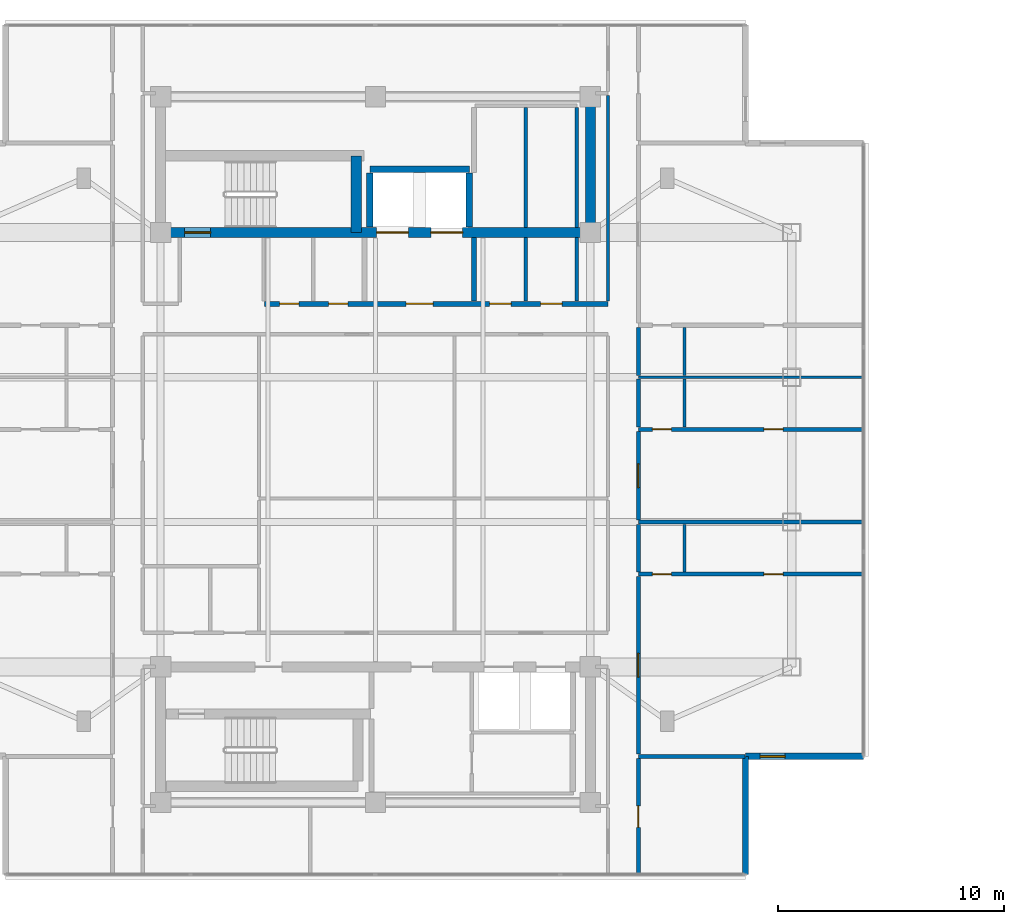
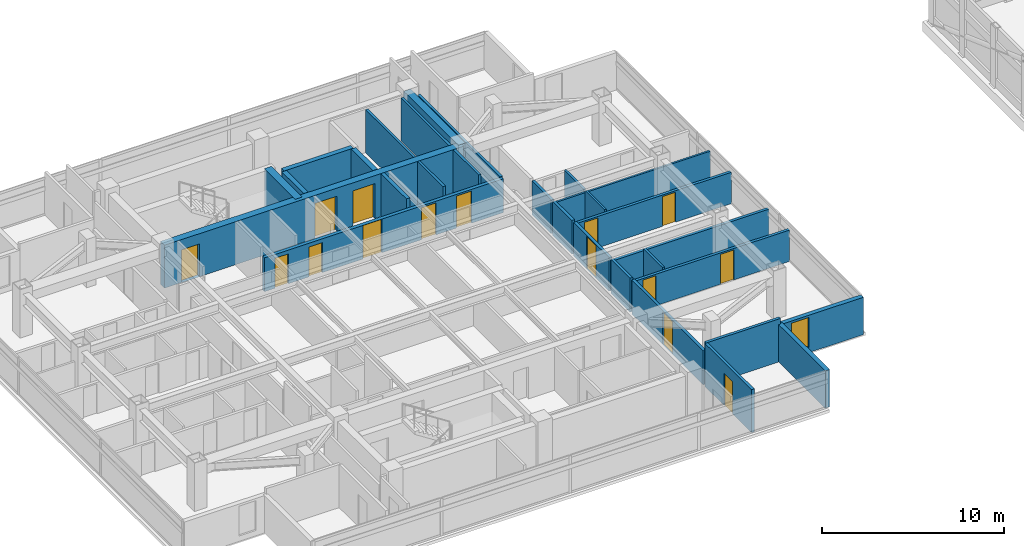
# One storey, part 12 of 17: 29 walls, 15 doors, 1 window, 16 openings.
"""IFC4 building model written with IfcOpenShell, lengths in metres."""

import ifcopenshell
import ifcopenshell.guid

model = None  # the IFC model being written
_history = None  # IfcOwnerHistory: only IFC2X3 demands one
_inside = {}  # id of a spatial element -> (the spatial element, [elements in it])
_under = {}  # id of a project, library or spatial element -> (it, [spatial elements below it])
_declared = {}  # id of a project -> (the project, [libraries it declares])
_typed = {}  # id of a type object -> (the type object, [elements of that type])
_made_of = {}  # id of a material, layer set ... -> (it, [elements and type objects made of it])


def new_model(schema):
    """Start an empty IFC model of exactly this schema.

    Asked for "IFC4X3", IfcOpenShell would pick the latest addendum, in which some entities
    have other attributes; the version numbers below select the first issue.
    IFC2X3 requires an IfcOwnerHistory on every rooted entity: one is made here for all.
    """
    global model, _history
    if schema == "IFC4X3":
        model = ifcopenshell.file(schema_version=(4, 3, 0, 0))
    else:
        model = ifcopenshell.file(schema=schema)
    _inside.clear()
    _under.clear()
    _declared.clear()
    _typed.clear()
    _made_of.clear()
    _history = None
    if model.schema == "IFC2X3":
        org = make("IfcOrganization", Name="unknown")
        user = make(
            "IfcPersonAndOrganization",
            ThePerson=make("IfcPerson", FamilyName="unknown"),
            TheOrganization=org,
        )
        app = make(
            "IfcApplication",
            ApplicationDeveloper=org,
            Version="unknown",
            ApplicationFullName="unknown",
            ApplicationIdentifier="unknown",
        )
        _history = make(
            "IfcOwnerHistory",
            OwningUser=user,
            OwningApplication=app,
            ChangeAction="ADDED",
            CreationDate=0,
        )
    return model


def make(cls, **values):
    """One entity of the class cls with the attributes given. An attribute that is None is left unset."""
    return model.create_entity(
        cls, **{name: value for name, value in values.items() if value is not None}
    )


def rooted(cls, **values):
    """An entity with a GlobalId (a new one), such as an element, a storey or a relation."""
    return make(cls, GlobalId=ifcopenshell.guid.new(), OwnerHistory=_history, **values)


def si_unit(unit_type, name, prefix=None):
    """IfcSIUnit, for example si_unit("LENGTHUNIT", "METRE", prefix="MILLI")."""
    return make("IfcSIUnit", UnitType=unit_type, Prefix=prefix, Name=name)


def assignment(units):
    """IfcUnitAssignment: the units of a project."""
    return None if units is None else make("IfcUnitAssignment", Units=units)


def point(xyz):
    """IfcCartesianPoint."""
    return None if xyz is None else make("IfcCartesianPoint", Coordinates=xyz)


def direction(xyz):
    """IfcDirection."""
    return None if xyz is None else make("IfcDirection", DirectionRatios=xyz)


def frame(location, z_axis=None, x_axis=None):
    """IfcAxis2Placement3D, a coordinate frame: its origin and axes. An axis left out is left unset."""
    return make(
        "IfcAxis2Placement3D",
        Location=point(location),
        Axis=direction(z_axis),
        RefDirection=direction(x_axis),
    )


def frame_2d(location, x_axis=None):
    """IfcAxis2Placement2D, a coordinate frame in the plane: its origin and x axis."""
    return make(
        "IfcAxis2Placement2D", Location=point(location), RefDirection=direction(x_axis)
    )


def origin():
    """The frame at (0, 0, 0) with its axes left unset."""
    return frame((0.0, 0.0, 0.0))


def place(relative_to, where):
    """IfcLocalPlacement: puts the frame where relative to a parent placement (None: the world)."""
    return make(
        "IfcLocalPlacement", PlacementRelTo=relative_to, RelativePlacement=where
    )


def context(
    kind, dimensions, precision=None, world=None, true_north=None, identifier=None
):
    """IfcGeometricRepresentationContext, for example the 3D "Model" context."""
    return make(
        "IfcGeometricRepresentationContext",
        ContextIdentifier=identifier,
        ContextType=kind,
        CoordinateSpaceDimension=dimensions,
        Precision=precision,
        WorldCoordinateSystem=world,
        TrueNorth=true_north,
    )


def subcontext(parent, identifier, kind, view, scale=None):
    """IfcGeometricRepresentationSubContext, for example "Body" below "Model"."""
    return make(
        "IfcGeometricRepresentationSubContext",
        ContextIdentifier=identifier,
        ContextType=kind,
        ParentContext=parent,
        TargetScale=scale,
        TargetView=view,
    )


def project(units=None, contexts=None):
    """IfcProject with its units and contexts."""
    return rooted(
        "IfcProject",
        Name="project",
        RepresentationContexts=contexts,
        UnitsInContext=assignment(units),
    )


def spatial(cls, under=None, at=None, **own):
    """A site, building, storey or space (cls), placed at a placement, below another one or the project."""
    s = rooted(cls, ObjectPlacement=at, **own)
    if under is not None:
        _under.setdefault(under.id(), (under, []))[1].append(s)
    return s


def profile(cls, at=None, kind="AREA", **sizes):
    """A parametric profile (cls). Its sizes go by their IFC names, for example OverallWidth=200.0."""
    return make(cls, ProfileType=kind, Position=at, **sizes)


def rectangle(**sizes):
    """IfcRectangleProfileDef."""
    return profile("IfcRectangleProfileDef", **sizes)


def extrude(swept, where, along, depth):
    """IfcExtrudedAreaSolid: the profile swept, set in the frame where, extruded along a direction by depth."""
    return make(
        "IfcExtrudedAreaSolid",
        SweptArea=swept,
        Position=where,
        ExtrudedDirection=direction(along),
        Depth=depth,
    )


def shape(context_of_items, identifier, shape_type, items):
    """IfcShapeRepresentation: the items that make up one representation, for example the "Body"."""
    return make(
        "IfcShapeRepresentation",
        ContextOfItems=context_of_items,
        RepresentationIdentifier=identifier,
        RepresentationType=shape_type,
        Items=items,
    )


def material(Name=None, Category=None):
    """IfcMaterial."""
    return make("IfcMaterial", Name=Name, Category=Category)


def layer(
    of_material, thickness, ventilated=None, Name=None, Category=None, Priority=None
):
    """IfcMaterialLayer: one layer of a wall or slab, of a material (None: an air gap)."""
    return make(
        "IfcMaterialLayer",
        Material=of_material,
        LayerThickness=thickness,
        IsVentilated=ventilated,
        Name=Name,
        Category=Category,
        Priority=Priority,
    )


def layer_set(layers, Name=None):
    """IfcMaterialLayerSet."""
    return make("IfcMaterialLayerSet", MaterialLayers=layers, LayerSetName=Name)


def made_of(thing, what):
    """Note that an element or type object is made of a material, layer set ...; save() writes the relation."""
    if what is not None:
        _made_of.setdefault(what.id(), (what, []))[1].append(thing)
    return thing


def type_object(cls, material=None, **own):
    """A type object (cls), such as IfcWallType, which elements share."""
    return made_of(rooted(cls, **own), material)


def element(
    cls,
    number,
    at=None,
    inside=None,
    cuts=None,
    type_object=None,
    material=None,
    context=None,
    identifier="Body",
    shape_type=None,
    held_by="IfcProductDefinitionShape",
    body=None,
    shapes=None,
    **own,
):
    """One element of the class cls, such as IfcWall. Its Tag is "e" and its number.

    at: its placement. inside: the storey or other place that contains it. cuts: it is an
    opening in that element (IfcRelVoidsElement). A single representation is given by context,
    identifier, shape_type and body (its items); several are given by shapes. held_by: the class
    of the entity that holds the representations. save() writes the other relations.
    """
    e = rooted(cls, Tag="e%d" % number, ObjectPlacement=at, **own)
    if body is not None:
        shapes = [shape(context, identifier, shape_type, body)]
    if shapes is not None:
        e.Representation = make(held_by, Representations=shapes)
    if inside is not None:
        _inside.setdefault(inside.id(), (inside, []))[1].append(e)
    if cuts is not None:
        rooted(
            "IfcRelVoidsElement", RelatingBuildingElement=cuts, RelatedOpeningElement=e
        )
    if type_object is not None:
        _typed.setdefault(type_object.id(), (type_object, []))[1].append(e)
    return made_of(e, material)


def fill(opening, filler):
    """IfcRelFillsElement: the door or window that sits in an opening."""
    return rooted(
        "IfcRelFillsElement",
        RelatingOpeningElement=opening,
        RelatedBuildingElement=filler,
    )


def aggregate(whole, parts):
    """IfcRelAggregates: a whole, such as a stair, and the parts it consists of."""
    return rooted("IfcRelAggregates", RelatingObject=whole, RelatedObjects=parts)


def save(model, path):
    """Write the relations noted so far, then the file.

    IfcRelAggregates (storeys below a building ...), IfcRelContainedInSpatialStructure (elements
    in a storey), IfcRelDefinesByType, IfcRelAssociatesMaterial and IfcRelDeclares: one each for
    every whole, place, type object, material and project.
    """
    for whole, parts in _under.values():
        aggregate(whole, parts)
    for where, things in _inside.values():
        rooted(
            "IfcRelContainedInSpatialStructure",
            RelatedElements=things,
            RelatingStructure=where,
        )
    for kind, things in _typed.values():
        rooted("IfcRelDefinesByType", RelatedObjects=things, RelatingType=kind)
    for what, things in _made_of.values():
        rooted("IfcRelAssociatesMaterial", RelatedObjects=things, RelatingMaterial=what)
    for by, libraries in _declared.values():
        rooted("IfcRelDeclares", RelatingContext=by, RelatedDefinitions=libraries)
    model.write(path)


model = new_model("IFC4")

# Units and contexts
model_context = context("Model", 3, precision=1e-05, world=origin(), true_north=direction((0.0, 1.0)))
body_context = subcontext(model_context, "Body", "Model", "MODEL_VIEW")
ifc_project = project(units=[si_unit("LENGTHUNIT", "METRE"), si_unit("AREAUNIT", "SQUARE_METRE"), si_unit("VOLUMEUNIT", "CUBIC_METRE"), si_unit("PLANEANGLEUNIT", "RADIAN"), si_unit("MASSUNIT", "GRAM", prefix="KILO")], contexts=[model_context])

# Site, building, storey
site_placement = place(None, origin())
site = spatial("IfcSite", under=ifc_project, at=site_placement, CompositionType="ELEMENT")
building_placement = place(site_placement, origin())
building = spatial("IfcBuilding", under=site, at=building_placement, Name="Mirazonda Arch Towers", CompositionType="ELEMENT")
storey_placement = place(building_placement, frame((0.0, 0.0, 209.64990234375)))
storey = spatial("IfcBuildingStorey", under=building, at=storey_placement, Name="L60", CompositionType="ELEMENT", Elevation=209.64990234375)

# Wall
ifc_material_1 = material(Name="Concrete C50/60", Category="concrete")
ifc_layer_1 = layer(ifc_material_1, 0.449951171875, Name="WALL-CORE-450")
ifc_layer_set_1 = layer_set([ifc_layer_1], Name="Concrete C50/60")
wall_type_1 = type_object("IfcWallType", Name="WALL-CORE-450", PredefinedType="SHEAR", material=ifc_layer_set_1)
wall_1_placement = place(storey_placement, frame((30.0, 37.60009765625, 0.0), z_axis=(0.0, 0.0, 1.0), x_axis=(0.0, 1.0, 0.0)))
element("IfcWall", 1, at=wall_1_placement, inside=storey, type_object=wall_type_1, Name="L60 T1N-E Core Shear Wall", PredefinedType="SHEAR", context=body_context, shape_type="SweptSolid", body=[
    extrude(rectangle(XDim=6.0, YDim=0.449951171875, at=frame_2d((3.0, 0.0))), origin(), (0.0, 0.0, 1.0), 2.89013671875),
])

# Wall, openings, doors
wall_2_placement = place(storey_placement, frame((11.0, 37.60009765625, 0.0), z_axis=(0.0, 0.0, 1.0), x_axis=(1.0, 0.0, 0.0)))
wall_2 = element("IfcWall", 2, at=wall_2_placement, inside=storey, type_object=wall_type_1, Name="L60 T1N-S Core Shear Wall", PredefinedType="SHEAR", context=body_context, shape_type="SweptSolid", body=[
    extrude(rectangle(XDim=19.0, YDim=0.449951171875, at=frame_2d((9.5, 0.0))), origin(), (0.0, 0.0, 1.0), 2.89013671875),
])
opening_1_placement = place(wall_2_placement, frame((1.06005859375, 0.0, 0.0)))
opening_1 = element("IfcOpeningElement", 3, at=opening_1_placement, cuts=wall_2, Name="Opening DR-135", PredefinedType="OPENING", context=body_context, shape_type="SweptSolid", body=[
    extrude(rectangle(XDim=1.14990234375, YDim=2.199951171875, at=frame_2d((0.574951171875, 1.10009765625))), frame((0.0, 0.23486328125, 0.0), z_axis=(0.0, -1.0, 0.0), x_axis=(1.0, 0.0, 0.0)), (0.0, 0.0, 1.0), 0.469970703125),
])
opening_2_placement = place(wall_2_placement, frame((9.550048828125, 0.0, 0.0)))
opening_2 = element("IfcOpeningElement", 4, at=opening_2_placement, cuts=wall_2, Name="Opening LD-112", PredefinedType="OPENING", context=body_context, shape_type="SweptSolid", body=[
    extrude(rectangle(XDim=1.39990234375, YDim=2.35009765625, at=frame_2d((0.699951171875, 1.175048828125))), frame((0.0, 0.23486328125, 0.0), z_axis=(0.0, -1.0, 0.0), x_axis=(1.0, 0.0, 0.0)), (0.0, 0.0, 1.0), 0.469970703125),
])
opening_3_placement = place(wall_2_placement, frame((11.949951171875, 0.0, 0.0)))
opening_3 = element("IfcOpeningElement", 5, at=opening_3_placement, cuts=wall_2, Name="Opening LD-112", PredefinedType="OPENING", context=body_context, shape_type="SweptSolid", body=[
    extrude(rectangle(XDim=1.39990234375, YDim=2.35009765625, at=frame_2d((0.699951171875, 1.175048828125))), frame((0.0, 0.23486328125, 0.0), z_axis=(0.0, -1.0, 0.0), x_axis=(1.0, 0.0, 0.0)), (0.0, 0.0, 1.0), 0.469970703125),
])
ifc_material_2 = material(Name="Architectural Brushed Steel S355", Category="steel")
door_type_1 = type_object("IfcDoorType", Name="DOOR-LIFT-FFL-1400", OperationType="NOTDEFINED", PredefinedType="DOOR", material=ifc_material_2)
door_1_placement = place(opening_2_placement, origin())
door_1 = element("IfcDoor", 6, at=door_1_placement, inside=storey, type_object=door_type_1, Name="L60 Lift Landing Sliding Door FFL-T1", OperationType="DOUBLE_DOOR_SLIDING", OverallHeight=2.35009765625, OverallWidth=1.39990234375, PredefinedType="DOOR", context=body_context, shape_type="SweptSolid", body=[
    extrude(rectangle(XDim=1.39990234375, YDim=2.35009765625, at=frame_2d((0.699951171875, 1.175048828125))), frame((0.0, 0.02490234375, 0.0), z_axis=(0.0, -1.0, 0.0), x_axis=(1.0, 0.0, 0.0)), (0.0, 0.0, 1.0), 0.050048828125),
])
fill(opening_2, door_1)
door_2_placement = place(opening_3_placement, origin())
door_2 = element("IfcDoor", 7, at=door_2_placement, inside=storey, type_object=door_type_1, Name="L60 Lift Landing Sliding Door SVL-T1", OperationType="DOUBLE_DOOR_SLIDING", OverallHeight=2.35009765625, OverallWidth=1.39990234375, PredefinedType="DOOR", context=body_context, shape_type="SweptSolid", body=[
    extrude(rectangle(XDim=1.39990234375, YDim=2.35009765625, at=frame_2d((0.699951171875, 1.175048828125))), frame((0.0, 0.02490234375, 0.0), z_axis=(0.0, -1.0, 0.0), x_axis=(1.0, 0.0, 0.0)), (0.0, 0.0, 1.0), 0.050048828125),
])
fill(opening_3, door_2)
door_type_2 = type_object("IfcDoorType", Name="DOOR-STAIR-FD90-1150", OperationType="NOTDEFINED", PredefinedType="DOOR", material=ifc_material_2)
door_3_placement = place(opening_1_placement, origin())
door_3 = element("IfcDoor", 8, at=door_3_placement, inside=storey, type_object=door_type_2, Name="L60 Protected Exit Stair North Door", OperationType="SINGLE_SWING_RIGHT", OverallHeight=2.199951171875, OverallWidth=1.14990234375, PredefinedType="DOOR", context=body_context, shape_type="SweptSolid", body=[
    extrude(rectangle(XDim=1.14990234375, YDim=2.199951171875, at=frame_2d((0.574951171875, 1.10009765625))), frame((0.0, 0.02490234375, 0.0), z_axis=(0.0, -1.0, 0.0), x_axis=(1.0, 0.0, 0.0)), (0.0, 0.0, 1.0), 0.050048828125),
])
fill(opening_1, door_3)

# Wall
wall_3_placement = place(storey_placement, frame((19.64990234375, 37.60009765625, 0.0), z_axis=(0.0, 0.0, 1.0), x_axis=(0.0, 1.0, 0.0)))
element("IfcWall", 9, at=wall_3_placement, inside=storey, type_object=wall_type_1, Name="L60 T1N-STE Core Shear Wall", PredefinedType="SHEAR", context=body_context, shape_type="SweptSolid", body=[
    extrude(rectangle(XDim=3.392822265625, YDim=0.449951171875, at=frame_2d((1.6962890625, 0.0))), origin(), (0.0, 0.0, 1.0), 2.89013671875),
])

# Wall, opening, window
ifc_material_3 = material(Name="Precast Concrete C40/50", Category="concrete")
ifc_layer_2 = layer(ifc_material_3, 0.280029296875, Name="WALL-EXT-WALL-280")
ifc_layer_set_2 = layer_set([ifc_layer_2], Name="Precast Concrete C40/50")
wall_type_2 = type_object("IfcWallType", Name="WALL-EXT-WALL-280", PredefinedType="SOLIDWALL", material=ifc_layer_set_2)
wall_4_placement = place(storey_placement, frame((36.85498046875, 14.44091796875, 0.0), z_axis=(0.0, 0.0, 1.0), x_axis=(1.0, 0.0, 0.0)))
wall_4 = element("IfcWall", 10, at=wall_4_placement, inside=storey, type_object=wall_type_2, Name="L60 T1 Corner Notch Return Wall WL-L60-T1-CSE1", PredefinedType="SOLIDWALL", context=body_context, shape_type="SweptSolid", body=[
    extrude(rectangle(XDim=5.215087890625, YDim=0.280029296875, at=frame_2d((2.607421875, 0.0))), origin(), (0.0, 0.0, 1.0), 2.510009765625),
])
opening_4_placement = place(wall_4_placement, frame((0.64990234375, 0.0, 0.360107421875)))
opening_4 = element("IfcOpeningElement", 11, at=opening_4_placement, cuts=wall_4, Name="Opening WN-108", PredefinedType="OPENING", context=body_context, shape_type="SweptSolid", body=[
    extrude(rectangle(XDim=1.10009765625, YDim=2.0, at=frame_2d((0.550048828125, 1.0))), frame((0.0, 0.14990234375, 0.0), z_axis=(0.0, -1.0, 0.0), x_axis=(1.0, 0.0, 0.0)), (0.0, 0.0, 1.0), 0.300048828125),
])
ifc_material_4 = material(Name="Insulated Low-E Solar Glass", Category="glass")
window_type = type_object("IfcWindowType", Name="WIN-NOTCH-1100x2000", PartitioningType="SINGLE_PANEL", PredefinedType="WINDOW", material=ifc_material_4)
window_placement = place(opening_4_placement, origin())
window = element("IfcWindow", 12, at=window_placement, inside=storey, type_object=window_type, Name="L60 Punched Facade Window WN-L60-T1-CSE1", OverallHeight=2.0, OverallWidth=1.10009765625, PartitioningType="SINGLE_PANEL", PredefinedType="WINDOW", context=body_context, shape_type="SweptSolid", body=[
    extrude(rectangle(XDim=1.10009765625, YDim=2.0, at=frame_2d((0.550048828125, 1.0))), frame((0.0, 0.030029296875, 0.0), z_axis=(0.0, -1.0, 0.0), x_axis=(1.0, 0.0, 0.0)), (0.0, 0.0, 1.0), 0.06005859375),
])
fill(opening_4, window)

# Wall
wall_5_placement = place(storey_placement, frame((36.85498046875, 9.22607421875, 0.0), z_axis=(0.0, 0.0, 1.0), x_axis=(0.0, 1.0, 0.0)))
element("IfcWall", 13, at=wall_5_placement, inside=storey, type_object=wall_type_2, Name="L60 T1 Corner Notch Return Wall WL-L60-T1-CSE2", PredefinedType="SOLIDWALL", context=body_context, shape_type="SweptSolid", body=[
    extrude(rectangle(XDim=5.21484375, YDim=0.280029296875, at=frame_2d((2.607421875, 0.0))), origin(), (0.0, 0.0, 1.0), 2.510009765625),
])

# Wall, openings, doors
ifc_material_5 = material(Name="Concrete C40/50", Category="concrete")
ifc_layer_3 = layer(ifc_material_5, 0.219970703125, Name="WALL-FFL-220")
ifc_layer_set_3 = layer_set([ifc_layer_3], Name="Concrete C40/50")
wall_type_3 = type_object("IfcWallType", Name="WALL-FFL-220", PredefinedType="SOLIDWALL", material=ifc_layer_set_3)
wall_6_placement = place(storey_placement, frame((15.590087890625, 34.449951171875, 0.0), z_axis=(0.0, 0.0, 1.0), x_axis=(1.0, 0.0, 0.0)))
wall_6 = element("IfcWall", 14, at=wall_6_placement, inside=storey, type_object=wall_type_3, Name="L60 Interior Partition 030", PredefinedType="SOLIDWALL", context=body_context, shape_type="SweptSolid", body=[
    extrude(rectangle(XDim=15.18994140625, YDim=0.219970703125, at=frame_2d((7.594970703125, 0.0))), origin(), (0.0, 0.0, 1.0), 2.26611328125),
])
opening_5_placement = place(wall_6_placement, frame((6.260009765625, 0.0, 0.0)))
opening_5 = element("IfcOpeningElement", 15, at=opening_5_placement, cuts=wall_6, Name="Opening DR-117", PredefinedType="OPENING", context=body_context, shape_type="SweptSolid", body=[
    extrude(rectangle(XDim=1.199951171875, YDim=2.25, at=frame_2d((0.60009765625, 1.125))), frame((0.0, 0.119873046875, 0.0), z_axis=(0.0, -1.0, 0.0), x_axis=(1.0, 0.0, 0.0)), (0.0, 0.0, 1.0), 0.239990234375),
])
opening_6_placement = place(wall_6_placement, frame((9.9599609375, 0.0, 0.0)))
opening_6 = element("IfcOpeningElement", 16, at=opening_6_placement, cuts=wall_6, Name="Opening DR-104", PredefinedType="OPENING", context=body_context, shape_type="SweptSolid", body=[
    extrude(rectangle(XDim=0.949951171875, YDim=2.14990234375, at=frame_2d((0.47509765625, 1.074951171875))), frame((0.0, 0.119873046875, 0.0), z_axis=(0.0, -1.0, 0.0), x_axis=(1.0, 0.0, 0.0)), (0.0, 0.0, 1.0), 0.239990234375),
])
opening_7_placement = place(wall_6_placement, frame((12.2099609375, 0.0, 0.0)))
opening_7 = element("IfcOpeningElement", 17, at=opening_7_placement, cuts=wall_6, Name="Opening DR-104", PredefinedType="OPENING", context=body_context, shape_type="SweptSolid", body=[
    extrude(rectangle(XDim=0.949951171875, YDim=2.14990234375, at=frame_2d((0.47509765625, 1.074951171875))), frame((0.0, 0.119873046875, 0.0), z_axis=(0.0, -1.0, 0.0), x_axis=(1.0, 0.0, 0.0)), (0.0, 0.0, 1.0), 0.239990234375),
])
opening_8_placement = place(wall_6_placement, frame((0.675048828125, 0.0, 0.0)))
opening_8 = element("IfcOpeningElement", 18, at=opening_8_placement, cuts=wall_6, Name="Opening DR-128", PredefinedType="OPENING", context=body_context, shape_type="SweptSolid", body=[
    extrude(rectangle(XDim=0.85009765625, YDim=2.010009765625, at=frame_2d((0.425048828125, 1.0048828125))), frame((0.0, 0.119873046875, 0.0), z_axis=(0.0, -1.0, 0.0), x_axis=(1.0, 0.0, 0.0)), (0.0, 0.0, 1.0), 0.239990234375),
])
opening_9_placement = place(wall_6_placement, frame((2.8349609375, 0.0, 0.0)))
opening_9 = element("IfcOpeningElement", 19, at=opening_9_placement, cuts=wall_6, Name="Opening DR-128", PredefinedType="OPENING", context=body_context, shape_type="SweptSolid", body=[
    extrude(rectangle(XDim=0.85009765625, YDim=2.010009765625, at=frame_2d((0.425048828125, 1.0048828125))), frame((0.0, 0.119873046875, 0.0), z_axis=(0.0, -1.0, 0.0), x_axis=(1.0, 0.0, 0.0)), (0.0, 0.0, 1.0), 0.239990234375),
])
door_type_3 = type_object("IfcDoorType", Name="DOOR-FFL-FD90-1200", OperationType="NOTDEFINED", PredefinedType="DOOR", material=ifc_material_2)
door_4_placement = place(opening_5_placement, origin())
door_4 = element("IfcDoor", 20, at=door_4_placement, inside=storey, type_object=door_type_3, Name="L60 Firefighting Lift Lobby Door", OperationType="SINGLE_SWING_LEFT", OverallHeight=2.25, OverallWidth=1.199951171875, PredefinedType="DOOR", context=body_context, shape_type="SweptSolid", body=[
    extrude(rectangle(XDim=1.199951171875, YDim=2.25, at=frame_2d((0.60009765625, 1.125))), frame((0.0, 0.02490234375, 0.0), z_axis=(0.0, -1.0, 0.0), x_axis=(1.0, 0.0, 0.0)), (0.0, 0.0, 1.0), 0.050048828125),
])
fill(opening_5, door_4)
door_type_4 = type_object("IfcDoorType", Name="DOOR-RISER-FD60-850", OperationType="NOTDEFINED", PredefinedType="DOOR", material=ifc_material_2)
door_5_placement = place(opening_8_placement, origin())
door_5 = element("IfcDoor", 21, at=door_5_placement, inside=storey, type_object=door_type_4, Name="L60 Electrical Room Door", OperationType="SINGLE_SWING_RIGHT", OverallHeight=2.010009765625, OverallWidth=0.85009765625, PredefinedType="DOOR", context=body_context, shape_type="SweptSolid", body=[
    extrude(rectangle(XDim=0.85009765625, YDim=2.010009765625, at=frame_2d((0.425048828125, 1.0048828125))), frame((0.0, 0.02490234375, 0.0), z_axis=(0.0, -1.0, 0.0), x_axis=(1.0, 0.0, 0.0)), (0.0, 0.0, 1.0), 0.050048828125),
])
fill(opening_8, door_5)
door_6_placement = place(opening_9_placement, origin())
door_6 = element("IfcDoor", 22, at=door_6_placement, inside=storey, type_object=door_type_4, Name="L60 Cleaners & Housekeeping Store Door", OperationType="SINGLE_SWING_LEFT", OverallHeight=2.010009765625, OverallWidth=0.85009765625, PredefinedType="DOOR", context=body_context, shape_type="SweptSolid", body=[
    extrude(rectangle(XDim=0.85009765625, YDim=2.010009765625, at=frame_2d((0.425048828125, 1.0048828125))), frame((0.0, 0.02490234375, 0.0), z_axis=(0.0, -1.0, 0.0), x_axis=(1.0, 0.0, 0.0)), (0.0, 0.0, 1.0), 0.050048828125),
])
fill(opening_9, door_6)
door_type_5 = type_object("IfcDoorType", Name="DOOR-ROOM-950", OperationType="NOTDEFINED", PredefinedType="DOOR", material=ifc_material_2)
door_7_placement = place(opening_6_placement, origin())
door_7 = element("IfcDoor", 23, at=door_7_placement, inside=storey, type_object=door_type_5, Name="L60 Residents Private Art Gallery Door", OperationType="SINGLE_SWING_RIGHT", OverallHeight=2.14990234375, OverallWidth=0.949951171875, PredefinedType="DOOR", context=body_context, shape_type="SweptSolid", body=[
    extrude(rectangle(XDim=0.949951171875, YDim=2.14990234375, at=frame_2d((0.47509765625, 1.074951171875))), frame((0.0, 0.02490234375, 0.0), z_axis=(0.0, -1.0, 0.0), x_axis=(1.0, 0.0, 0.0)), (0.0, 0.0, 1.0), 0.050048828125),
])
fill(opening_6, door_7)
door_8_placement = place(opening_7_placement, origin())
door_8 = element("IfcDoor", 24, at=door_8_placement, inside=storey, type_object=door_type_5, Name="L60 Private Quiet Study Door", OperationType="SINGLE_SWING_LEFT", OverallHeight=2.14990234375, OverallWidth=0.949951171875, PredefinedType="DOOR", context=body_context, shape_type="SweptSolid", body=[
    extrude(rectangle(XDim=0.949951171875, YDim=2.14990234375, at=frame_2d((0.47509765625, 1.074951171875))), frame((0.0, 0.02490234375, 0.0), z_axis=(0.0, -1.0, 0.0), x_axis=(1.0, 0.0, 0.0)), (0.0, 0.0, 1.0), 0.050048828125),
])
fill(opening_7, door_8)

# Walls
wall_7_placement = place(storey_placement, frame((24.85009765625, 34.570068359375, 0.0), z_axis=(0.0, 0.0, 1.0), x_axis=(0.0, 1.0, 0.0)))
element("IfcWall", 25, at=wall_7_placement, inside=storey, type_object=wall_type_3, Name="L60 Interior Partition 077", PredefinedType="SOLIDWALL", context=body_context, shape_type="SweptSolid", body=[
    extrude(rectangle(XDim=2.809814453125, YDim=0.219970703125, at=frame_2d((1.40478515625, 0.0))), origin(), (0.0, 0.0, 1.0), 2.89013671875),
])
ifc_material_6 = material(Name="Fire-Rated Gypsum Stud Partition")
ifc_layer_4 = layer(ifc_material_6, 0.14990234375, Name="WALL-PART-CORR-150")
ifc_layer_set_4 = layer_set([ifc_layer_4], Name="Fire-Rated Gypsum Stud Partition")
wall_type_4 = type_object("IfcWallType", Name="WALL-PART-CORR-150", PredefinedType="PARTITIONING", material=ifc_layer_set_4)
wall_8_placement = place(storey_placement, frame((27.14990234375, 34.570068359375, 0.0), z_axis=(0.0, 0.0, 1.0), x_axis=(0.0, 1.0, 0.0)))
element("IfcWall", 26, at=wall_8_placement, inside=storey, type_object=wall_type_4, Name="L60 Interior Partition 079", PredefinedType="PARTITIONING", context=body_context, shape_type="SweptSolid", body=[
    extrude(rectangle(XDim=2.809814453125, YDim=0.14990234375, at=frame_2d((1.40478515625, 0.0))), origin(), (0.0, 0.0, 1.0), 2.89013671875),
])
wall_9_placement = place(storey_placement, frame((27.14990234375, 37.820068359375, 0.0), z_axis=(0.0, 0.0, 1.0), x_axis=(0.0, 1.0, 0.0)))
element("IfcWall", 27, at=wall_9_placement, inside=storey, type_object=wall_type_4, Name="L60 Interior Partition 080", PredefinedType="PARTITIONING", context=body_context, shape_type="SweptSolid", body=[
    extrude(rectangle(XDim=5.294921875, YDim=0.14990234375, at=frame_2d((2.6474609375, 0.0))), origin(), (0.0, 0.0, 1.0), 2.89013671875),
])
wall_10_placement = place(storey_placement, frame((29.39990234375, 34.570068359375, 0.0), z_axis=(0.0, 0.0, 1.0), x_axis=(0.0, 1.0, 0.0)))
element("IfcWall", 28, at=wall_10_placement, inside=storey, type_object=wall_type_4, Name="L60 Interior Partition 083", PredefinedType="PARTITIONING", context=body_context, shape_type="SweptSolid", body=[
    extrude(rectangle(XDim=2.809814453125, YDim=0.14990234375, at=frame_2d((1.40478515625, 0.0))), origin(), (0.0, 0.0, 1.0), 2.89013671875),
])
wall_11_placement = place(storey_placement, frame((29.39990234375, 37.820068359375, 0.0), z_axis=(0.0, 0.0, 1.0), x_axis=(0.0, 1.0, 0.0)))
element("IfcWall", 29, at=wall_11_placement, inside=storey, type_object=wall_type_4, Name="L60 Interior Partition 084", PredefinedType="PARTITIONING", context=body_context, shape_type="SweptSolid", body=[
    extrude(rectangle(XDim=5.294921875, YDim=0.14990234375, at=frame_2d((2.6474609375, 0.0))), origin(), (0.0, 0.0, 1.0), 2.89013671875),
])
wall_12_placement = place(storey_placement, frame((30.780029296875, 34.570068359375, 0.0), z_axis=(0.0, 0.0, 1.0), x_axis=(0.0, 1.0, 0.0)))
element("IfcWall", 30, at=wall_12_placement, inside=storey, type_object=wall_type_4, Name="L60 Interior Partition 089", PredefinedType="PARTITIONING", context=body_context, shape_type="SweptSolid", body=[
    extrude(rectangle(XDim=9.094970703125, YDim=0.14990234375, at=frame_2d((4.54736328125, 0.0))), origin(), (0.0, 0.0, 1.0), 2.281982421875),
])
ifc_material_7 = material(Name="Fire-Rated Gypsum Twin-Stud Assembly")
ifc_layer_5 = layer(ifc_material_7, 0.179931640625, Name="WALL-PART-DEMISE-180")
ifc_layer_set_5 = layer_set([ifc_layer_5], Name="Fire-Rated Gypsum Twin-Stud Assembly")
wall_type_5 = type_object("IfcWallType", Name="WALL-PART-DEMISE-180", PredefinedType="PARTITIONING", material=ifc_layer_set_5)
wall_13_placement = place(storey_placement, frame((32.1201171875, 14.44091796875, 0.0), z_axis=(0.0, 0.0, 1.0), x_axis=(1.0, 0.0, 0.0)))
element("IfcWall", 31, at=wall_13_placement, inside=storey, type_object=wall_type_5, Name="L60 Interior Partition 006", PredefinedType="PARTITIONING", context=body_context, shape_type="SweptSolid", body=[
    extrude(rectangle(XDim=4.71484375, YDim=0.179931640625, at=frame_2d((2.357421875, 0.0))), origin(), (0.0, 0.0, 1.0), 2.89013671875),
])

# Wall, openings, doors
wall_14_placement = place(storey_placement, frame((32.1201171875, 22.5, 0.0), z_axis=(0.0, 0.0, 1.0), x_axis=(1.0, 0.0, 0.0)))
wall_14 = element("IfcWall", 32, at=wall_14_placement, inside=storey, type_object=wall_type_5, Name="L60 Interior Partition 016", PredefinedType="PARTITIONING", context=body_context, shape_type="SweptSolid", body=[
    extrude(rectangle(XDim=9.949951171875, YDim=0.179931640625, at=frame_2d((4.97509765625, 0.0))), origin(), (0.0, 0.0, 1.0), 2.109130859375),
])
opening_10_placement = place(wall_14_placement, frame((5.550048828125, 0.0, 0.0)))
opening_10 = element("IfcOpeningElement", 33, at=opening_10_placement, cuts=wall_14, Name="Opening DR-128", PredefinedType="OPENING", context=body_context, shape_type="SweptSolid", body=[
    extrude(rectangle(XDim=0.85009765625, YDim=2.010009765625, at=frame_2d((0.425048828125, 1.0048828125))), frame((0.0, 0.099853515625, 0.0), z_axis=(0.0, -1.0, 0.0), x_axis=(1.0, 0.0, 0.0)), (0.0, 0.0, 1.0), 0.199951171875),
])
opening_11_placement = place(wall_14_placement, frame((0.614990234375, 0.0, 0.0)))
opening_11 = element("IfcOpeningElement", 34, at=opening_11_placement, cuts=wall_14, Name="Opening DR-128", PredefinedType="OPENING", context=body_context, shape_type="SweptSolid", body=[
    extrude(rectangle(XDim=0.85009765625, YDim=2.010009765625, at=frame_2d((0.425048828125, 1.0048828125))), frame((0.0, 0.099853515625, 0.0), z_axis=(0.0, -1.0, 0.0), x_axis=(1.0, 0.0, 0.0)), (0.0, 0.0, 1.0), 0.199951171875),
])
door_9_placement = place(opening_10_placement, origin())
door_9 = element("IfcDoor", 35, at=door_9_placement, inside=storey, type_object=door_type_4, Name="L60 Studio 1 Galley Kitchen Door", OperationType="SINGLE_SWING_RIGHT", OverallHeight=2.010009765625, OverallWidth=0.85009765625, PredefinedType="DOOR", context=body_context, shape_type="SweptSolid", body=[
    extrude(rectangle(XDim=0.85009765625, YDim=2.010009765625, at=frame_2d((0.425048828125, 1.0048828125))), frame((0.0, 0.02490234375, 0.0), z_axis=(0.0, -1.0, 0.0), x_axis=(1.0, 0.0, 0.0)), (0.0, 0.0, 1.0), 0.050048828125),
])
fill(opening_10, door_9)
door_10_placement = place(opening_11_placement, origin())
door_10 = element("IfcDoor", 36, at=door_10_placement, inside=storey, type_object=door_type_4, Name="L60 Studio 1 Bathroom Door", OperationType="SINGLE_SWING_LEFT", OverallHeight=2.010009765625, OverallWidth=0.85009765625, PredefinedType="DOOR", context=body_context, shape_type="SweptSolid", body=[
    extrude(rectangle(XDim=0.85009765625, YDim=2.010009765625, at=frame_2d((0.425048828125, 1.0048828125))), frame((0.0, 0.02490234375, 0.0), z_axis=(0.0, -1.0, 0.0), x_axis=(1.0, 0.0, 0.0)), (0.0, 0.0, 1.0), 0.050048828125),
])
fill(opening_11, door_10)

# Wall
wall_15_placement = place(storey_placement, frame((32.1201171875, 24.800048828125, 0.0), z_axis=(0.0, 0.0, 1.0), x_axis=(1.0, 0.0, 0.0)))
element("IfcWall", 37, at=wall_15_placement, inside=storey, type_object=wall_type_5, Name="L60 Interior Partition 019", PredefinedType="PARTITIONING", context=body_context, shape_type="SweptSolid", body=[
    extrude(rectangle(XDim=9.949951171875, YDim=0.179931640625, at=frame_2d((4.97509765625, 0.0))), origin(), (0.0, 0.0, 1.0), 2.109130859375),
])

# Wall, openings, doors
wall_16_placement = place(storey_placement, frame((32.1201171875, 28.89990234375, 0.0), z_axis=(0.0, 0.0, 1.0), x_axis=(1.0, 0.0, 0.0)))
wall_16 = element("IfcWall", 38, at=wall_16_placement, inside=storey, type_object=wall_type_5, Name="L60 Interior Partition 022", PredefinedType="PARTITIONING", context=body_context, shape_type="SweptSolid", body=[
    extrude(rectangle(XDim=9.949951171875, YDim=0.179931640625, at=frame_2d((4.97509765625, 0.0))), origin(), (0.0, 0.0, 1.0), 2.109130859375),
])
opening_12_placement = place(wall_16_placement, frame((5.550048828125, 0.0, 0.0)))
opening_12 = element("IfcOpeningElement", 39, at=opening_12_placement, cuts=wall_16, Name="Opening DR-128", PredefinedType="OPENING", context=body_context, shape_type="SweptSolid", body=[
    extrude(rectangle(XDim=0.85009765625, YDim=2.010009765625, at=frame_2d((0.425048828125, 1.0048828125))), frame((0.0, 0.099853515625, 0.0), z_axis=(0.0, -1.0, 0.0), x_axis=(1.0, 0.0, 0.0)), (0.0, 0.0, 1.0), 0.199951171875),
])
opening_13_placement = place(wall_16_placement, frame((0.614990234375, 0.0, 0.0)))
opening_13 = element("IfcOpeningElement", 40, at=opening_13_placement, cuts=wall_16, Name="Opening DR-128", PredefinedType="OPENING", context=body_context, shape_type="SweptSolid", body=[
    extrude(rectangle(XDim=0.85009765625, YDim=2.010009765625, at=frame_2d((0.425048828125, 1.0048828125))), frame((0.0, 0.099853515625, 0.0), z_axis=(0.0, -1.0, 0.0), x_axis=(1.0, 0.0, 0.0)), (0.0, 0.0, 1.0), 0.199951171875),
])
door_11_placement = place(opening_12_placement, origin())
door_11 = element("IfcDoor", 41, at=door_11_placement, inside=storey, type_object=door_type_4, Name="L60 Studio 2 Galley Kitchen Door", OperationType="SINGLE_SWING_LEFT", OverallHeight=2.010009765625, OverallWidth=0.85009765625, PredefinedType="DOOR", context=body_context, shape_type="SweptSolid", body=[
    extrude(rectangle(XDim=0.85009765625, YDim=2.010009765625, at=frame_2d((0.425048828125, 1.0048828125))), frame((0.0, 0.02490234375, 0.0), z_axis=(0.0, -1.0, 0.0), x_axis=(1.0, 0.0, 0.0)), (0.0, 0.0, 1.0), 0.050048828125),
])
fill(opening_12, door_11)
door_12_placement = place(opening_13_placement, origin())
door_12 = element("IfcDoor", 42, at=door_12_placement, inside=storey, type_object=door_type_4, Name="L60 Studio 2 Bathroom Door", OperationType="SINGLE_SWING_RIGHT", OverallHeight=2.010009765625, OverallWidth=0.85009765625, PredefinedType="DOOR", context=body_context, shape_type="SweptSolid", body=[
    extrude(rectangle(XDim=0.85009765625, YDim=2.010009765625, at=frame_2d((0.425048828125, 1.0048828125))), frame((0.0, 0.02490234375, 0.0), z_axis=(0.0, -1.0, 0.0), x_axis=(1.0, 0.0, 0.0)), (0.0, 0.0, 1.0), 0.050048828125),
])
fill(opening_13, door_12)

# Wall, opening, door
wall_17_placement = place(storey_placement, frame((32.1201171875, 9.22607421875, 0.0), z_axis=(0.0, 0.0, 1.0), x_axis=(0.0, 1.0, 0.0)))
wall_17 = element("IfcWall", 43, at=wall_17_placement, inside=storey, type_object=wall_type_5, Name="L60 Interior Partition 091", PredefinedType="PARTITIONING", context=body_context, shape_type="SweptSolid", body=[
    extrude(rectangle(XDim=5.114990234375, YDim=0.179931640625, at=frame_2d((2.5576171875, 0.0))), origin(), (0.0, 0.0, 1.0), 2.89013671875),
])
opening_14_placement = place(wall_17_placement, frame((2.08251953125, 0.0, 0.0)))
opening_14 = element("IfcOpeningElement", 44, at=opening_14_placement, cuts=wall_17, Name="Opening DR-104", PredefinedType="OPENING", context=body_context, shape_type="SweptSolid", body=[
    extrude(rectangle(XDim=0.949951171875, YDim=2.14990234375, at=frame_2d((0.47509765625, 1.074951171875))), frame((0.0, 0.099853515625, 0.0), z_axis=(0.0, -1.0, 0.0), x_axis=(1.0, 0.0, 0.0)), (0.0, 0.0, 1.0), 0.199951171875),
])
door_13_placement = place(opening_14_placement, origin())
door_13 = element("IfcDoor", 45, at=door_13_placement, inside=storey, type_object=door_type_5, Name="L60 South Panoramic Study Alcove East Door", OperationType="SINGLE_SWING_LEFT", OverallHeight=2.14990234375, OverallWidth=0.949951171875, PredefinedType="DOOR", context=body_context, shape_type="SweptSolid", body=[
    extrude(rectangle(XDim=0.949951171875, YDim=2.14990234375, at=frame_2d((0.47509765625, 1.074951171875))), frame((0.0, 0.02490234375, 0.0), z_axis=(0.0, -1.0, 0.0), x_axis=(1.0, 0.0, 0.0)), (0.0, 0.0, 1.0), 0.050048828125),
])
fill(opening_14, door_13)

wall_18_placement = place(storey_placement, frame((32.1201171875, 14.541015625, 0.0), z_axis=(0.0, 0.0, 1.0), x_axis=(0.0, 1.0, 0.0)))
wall_18 = element("IfcWall", 46, at=wall_18_placement, inside=storey, type_object=wall_type_5, Name="L60 Interior Partition 092", PredefinedType="PARTITIONING", context=body_context, shape_type="SweptSolid", body=[
    extrude(rectangle(XDim=7.85888671875, YDim=0.179931640625, at=frame_2d((3.929443359375, 0.0))), origin(), (0.0, 0.0, 1.0), 2.281982421875),
])
opening_15_placement = place(wall_18_placement, frame((3.404541015625, 0.0, 0.0)))
opening_15 = element("IfcOpeningElement", 47, at=opening_15_placement, cuts=wall_18, Name="Opening DR-121", PredefinedType="OPENING", context=body_context, shape_type="SweptSolid", body=[
    extrude(rectangle(XDim=1.050048828125, YDim=2.199951171875, at=frame_2d((0.52490234375, 1.10009765625))), frame((0.0, 0.099853515625, 0.0), z_axis=(0.0, -1.0, 0.0), x_axis=(1.0, 0.0, 0.0)), (0.0, 0.0, 1.0), 0.199951171875),
])
door_type_6 = type_object("IfcDoorType", Name="DOOR-SUITE-FD60-1050", OperationType="NOTDEFINED", PredefinedType="DOOR", material=ifc_material_2)
door_14_placement = place(opening_15_placement, origin())
door_14 = element("IfcDoor", 48, at=door_14_placement, inside=storey, type_object=door_type_6, Name="L60 Studio Apartment 1 Living Salon Door", OperationType="SINGLE_SWING_LEFT", OverallHeight=2.199951171875, OverallWidth=1.050048828125, PredefinedType="DOOR", context=body_context, shape_type="SweptSolid", body=[
    extrude(rectangle(XDim=1.050048828125, YDim=2.199951171875, at=frame_2d((0.52490234375, 1.10009765625))), frame((0.0, 0.02490234375, 0.0), z_axis=(0.0, -1.0, 0.0), x_axis=(1.0, 0.0, 0.0)), (0.0, 0.0, 1.0), 0.050048828125),
])
fill(opening_15, door_14)

# Wall
wall_19_placement = place(storey_placement, frame((32.1201171875, 22.60009765625, 0.0), z_axis=(0.0, 0.0, 1.0), x_axis=(0.0, 1.0, 0.0)))
element("IfcWall", 49, at=wall_19_placement, inside=storey, type_object=wall_type_5, Name="L60 Interior Partition 093", PredefinedType="PARTITIONING", context=body_context, shape_type="SweptSolid", body=[
    extrude(rectangle(XDim=2.099853515625, YDim=0.179931640625, at=frame_2d((1.0498046875, 0.0))), origin(), (0.0, 0.0, 1.0), 2.26611328125),
])

# Wall, opening, door
wall_20_placement = place(storey_placement, frame((32.1201171875, 24.89990234375, 0.0), z_axis=(0.0, 0.0, 1.0), x_axis=(0.0, 1.0, 0.0)))
wall_20 = element("IfcWall", 50, at=wall_20_placement, inside=storey, type_object=wall_type_5, Name="L60 Interior Partition 094", PredefinedType="PARTITIONING", context=body_context, shape_type="SweptSolid", body=[
    extrude(rectangle(XDim=3.900146484375, YDim=0.179931640625, at=frame_2d((1.9501953125, 0.0))), origin(), (0.0, 0.0, 1.0), 2.26611328125),
])
opening_16_placement = place(wall_20_placement, frame((1.425048828125, 0.0, 0.0)))
opening_16 = element("IfcOpeningElement", 51, at=opening_16_placement, cuts=wall_20, Name="Opening DR-121", PredefinedType="OPENING", context=body_context, shape_type="SweptSolid", body=[
    extrude(rectangle(XDim=1.050048828125, YDim=2.199951171875, at=frame_2d((0.52490234375, 1.10009765625))), frame((0.0, 0.099853515625, 0.0), z_axis=(0.0, -1.0, 0.0), x_axis=(1.0, 0.0, 0.0)), (0.0, 0.0, 1.0), 0.199951171875),
])
door_15_placement = place(opening_16_placement, origin())
door_15 = element("IfcDoor", 52, at=door_15_placement, inside=storey, type_object=door_type_6, Name="L60 Studio Apartment 2 Living Salon Door", OperationType="SINGLE_SWING_RIGHT", OverallHeight=2.199951171875, OverallWidth=1.050048828125, PredefinedType="DOOR", context=body_context, shape_type="SweptSolid", body=[
    extrude(rectangle(XDim=1.050048828125, YDim=2.199951171875, at=frame_2d((0.52490234375, 1.10009765625))), frame((0.0, 0.02490234375, 0.0), z_axis=(0.0, -1.0, 0.0), x_axis=(1.0, 0.0, 0.0)), (0.0, 0.0, 1.0), 0.050048828125),
])
fill(opening_16, door_15)

# Walls
for number, where, z_axis, x_axis, name in (
    (53, (32.1201171875, 29.0, 0.0), (0.0, 0.0, 1.0), (0.0, 1.0, 0.0), "L60 Interior Partition 095"),
    (54, (32.1201171875, 31.2724609375, 0.0), (0.0, 0.0, 1.0), (0.0, 1.0, 0.0), "L60 Interior Partition 096"),
):
    element("IfcWall", number, at=place(storey_placement, frame(where, z_axis=z_axis, x_axis=x_axis)), inside=storey, type_object=wall_type_5, Name=name, PredefinedType="PARTITIONING", context=body_context, shape_type="SweptSolid", body=[
        extrude(rectangle(XDim=2.12744140625, YDim=0.179931640625, at=frame_2d((1.063720703125, 0.0))), origin(), (0.0, 0.0, 1.0), 2.26611328125),
    ])
ifc_material_8 = material(Name="Acoustic Fire-Rated Gypsum Partition")
ifc_layer_6 = layer(ifc_material_8, 0.125, Name="WALL-PART-UNIT-125")
ifc_layer_set_6 = layer_set([ifc_layer_6], Name="Acoustic Fire-Rated Gypsum Partition")
wall_type_6 = type_object("IfcWallType", Name="WALL-PART-UNIT-125", PredefinedType="PARTITIONING", material=ifc_layer_set_6)
wall_21_placement = place(storey_placement, frame((32.1201171875, 31.199951171875, 0.0), z_axis=(0.0, 0.0, 1.0), x_axis=(1.0, 0.0, 0.0)))
element("IfcWall", 55, at=wall_21_placement, inside=storey, type_object=wall_type_6, Name="L60 Interior Partition 024", PredefinedType="PARTITIONING", context=body_context, shape_type="SweptSolid", body=[
    extrude(rectangle(XDim=9.949951171875, YDim=0.125, at=frame_2d((4.97509765625, 0.0))), origin(), (0.0, 0.0, 1.0), 2.109130859375),
])
wall_22_placement = place(storey_placement, frame((34.159912109375, 22.60009765625, 0.0), z_axis=(0.0, 0.0, 1.0), x_axis=(0.0, 1.0, 0.0)))
element("IfcWall", 56, at=wall_22_placement, inside=storey, type_object=wall_type_6, Name="L60 Interior Partition 099", PredefinedType="PARTITIONING", context=body_context, shape_type="SweptSolid", body=[
    extrude(rectangle(XDim=2.099853515625, YDim=0.125, at=frame_2d((1.0498046875, 0.0))), origin(), (0.0, 0.0, 1.0), 2.26611328125),
])
for number, where, z_axis, x_axis, name in (
    (57, (34.159912109375, 29.0, 0.0), (0.0, 0.0, 1.0), (0.0, 1.0, 0.0), "L60 Interior Partition 100"),
    (58, (34.159912109375, 31.2724609375, 0.0), (0.0, 0.0, 1.0), (0.0, 1.0, 0.0), "L60 Interior Partition 101"),
):
    element("IfcWall", number, at=place(storey_placement, frame(where, z_axis=z_axis, x_axis=x_axis)), inside=storey, type_object=wall_type_6, Name=name, PredefinedType="PARTITIONING", context=body_context, shape_type="SweptSolid", body=[
        extrude(rectangle(XDim=2.12744140625, YDim=0.125, at=frame_2d((1.063720703125, 0.0))), origin(), (0.0, 0.0, 1.0), 2.26611328125),
    ])
ifc_layer_7 = layer(ifc_material_1, 0.300048828125, Name="WALL-SHAFT-300")
ifc_layer_set_7 = layer_set([ifc_layer_7], Name="Concrete C50/60")
wall_type_7 = type_object("IfcWallType", Name="WALL-SHAFT-300", PredefinedType="SOLIDWALL", material=ifc_layer_set_7)
wall_23_placement = place(storey_placement, frame((20.25, 40.39990234375, 0.0), z_axis=(0.0, 0.0, 1.0), x_axis=(1.0, 0.0, 0.0)))
element("IfcWall", 59, at=wall_23_placement, inside=storey, type_object=wall_type_7, Name="L60 Interior Partition 033", PredefinedType="SOLIDWALL", context=body_context, shape_type="SweptSolid", body=[
    extrude(rectangle(XDim=4.39990234375, YDim=0.300048828125, at=frame_2d((2.199951171875, 0.0))), origin(), (0.0, 0.0, 1.0), 2.89013671875),
])
for number, where, z_axis, x_axis, name in (
    (60, (20.25, 37.85009765625, 0.0), (0.0, 0.0, 1.0), (0.0, 1.0, 0.0), "L60 Interior Partition 071"),
    (61, (24.64990234375, 37.85009765625, 0.0), (0.0, 0.0, 1.0), (0.0, 1.0, 0.0), "L60 Interior Partition 076"),
):
    element("IfcWall", number, at=place(storey_placement, frame(where, z_axis=z_axis, x_axis=x_axis)), inside=storey, type_object=wall_type_7, Name=name, PredefinedType="SOLIDWALL", context=body_context, shape_type="SweptSolid", body=[
        extrude(rectangle(XDim=2.389892578125, YDim=0.300048828125, at=frame_2d((1.19482421875, 0.0))), origin(), (0.0, 0.0, 1.0), 2.89013671875),
    ])

save(model, "model.ifc")
